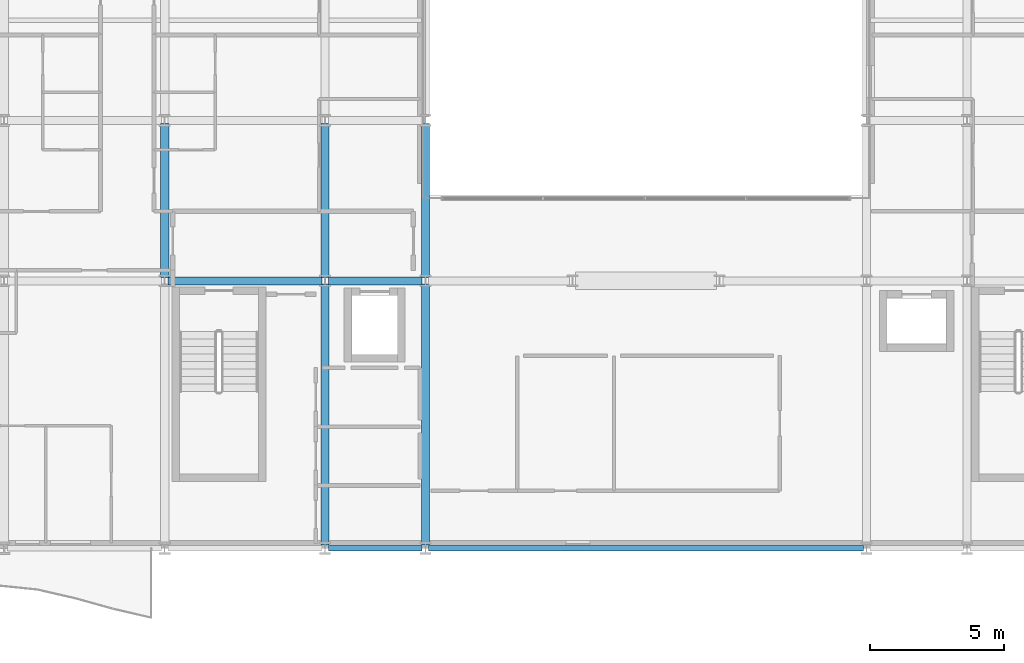
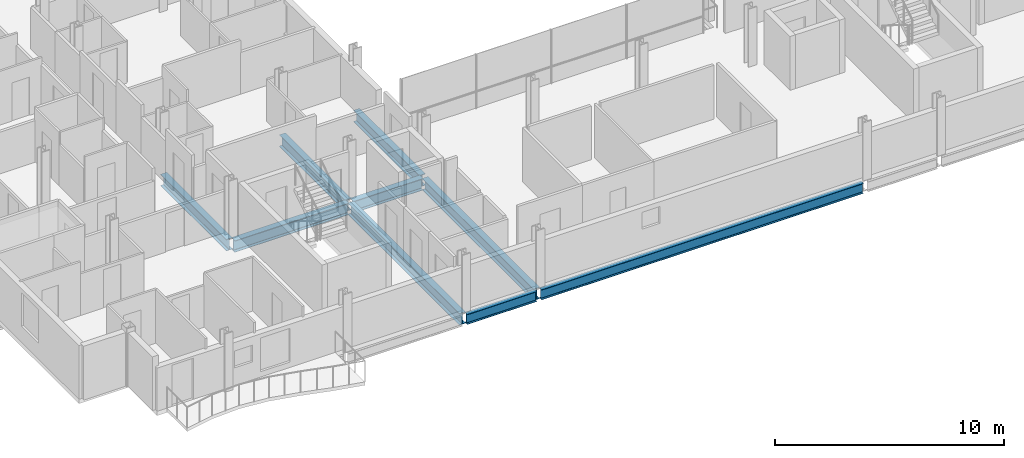
# One storey, part 3 of 40: 9 beams.
"""IFC4 building model written with IfcOpenShell, lengths in metres."""

from ifc_helpers import new_model, si_unit, direction, frame, origin, origin_2d, place, context, subcontext, project, spatial, i_section, extrude, material, material_profile, profile_set, type_object, element, save


model = new_model("IFC4")

# Units and contexts
model_context = context("Model", 3, precision=1e-05, world=origin(), true_north=direction((0.0, 1.0)))
body_context = subcontext(model_context, "Body", "Model", "MODEL_VIEW")
ifc_project = project(units=[si_unit("LENGTHUNIT", "METRE"), si_unit("AREAUNIT", "SQUARE_METRE"), si_unit("VOLUMEUNIT", "CUBIC_METRE"), si_unit("PLANEANGLEUNIT", "RADIAN"), si_unit("MASSUNIT", "GRAM", prefix="KILO")], contexts=[model_context])

# Site, building, storey
site_placement = place(None, origin())
site = spatial("IfcSite", under=ifc_project, at=site_placement, CompositionType="ELEMENT")
building_placement = place(site_placement, origin())
building = spatial("IfcBuilding", under=site, at=building_placement, Name="Brevholm Reach", CompositionType="ELEMENT")
storey_placement = place(building_placement, frame((0.0, 0.0, 80.699951171875)))
storey = spatial("IfcBuildingStorey", under=building, at=storey_placement, Name="L23", CompositionType="ELEMENT", Elevation=80.699951171875)

# Beams
ifc_material_1 = material(Name="Structural Steel S355J2", Category="steel")
ifc_material_profile_1 = material_profile(ifc_material_1, i_section(OverallWidth=0.210693359375, OverallDepth=0.53955078125, WebThickness=0.01171875, FlangeThickness=0.018798828125, FilletRadius=0.0126953125, at=origin_2d()), Name="UKB 533x210x109")
ifc_profile_set_1 = profile_set([ifc_material_profile_1], Name="Structural Steel S355J2")
beam_type_1 = type_object("IfcBeamType", Name="BM-SP539", PredefinedType="SPANDREL", material=ifc_profile_set_1)
beam_1_placement = place(storey_placement, frame((18.1201171875, 0.0, -0.499755859375), z_axis=(1.0, 0.0, 0.0), x_axis=(0.0, 1.0, 0.0)))
element("IfcBeam", 1, at=beam_1_placement, inside=storey, type_object=beam_type_1, Name="L23 SP-01B Framing Beam", PredefinedType="SPANDREL", context=body_context, shape_type="SweptSolid", body=[
    extrude(i_section(OverallWidth=0.210693359375, OverallDepth=0.53955078125, WebThickness=0.01171875, FlangeThickness=0.018798828125, FilletRadius=0.0126953125, at=origin_2d()), origin(), (0.0, 0.0, 1.0), 3.509765625),
])
beam_2_placement = place(storey_placement, frame((21.8701171875, 0.0, -0.499755859375), z_axis=(1.0, 0.0, 0.0), x_axis=(0.0, 1.0, 0.0)))
element("IfcBeam", 2, at=beam_2_placement, inside=storey, type_object=beam_type_1, Name="L23 SP-01B Framing Beam", PredefinedType="SPANDREL", context=body_context, shape_type="SweptSolid", body=[
    extrude(i_section(OverallWidth=0.210693359375, OverallDepth=0.53955078125, WebThickness=0.01171875, FlangeThickness=0.018798828125, FilletRadius=0.0126953125, at=origin_2d()), origin(), (0.0, 0.0, 1.0), 16.259765625),
])
ifc_material_2 = material(Name="Structural Steel S355J2", Category="steel")
ifc_material_profile_2 = material_profile(ifc_material_2, i_section(OverallWidth=0.30712890625, OverallDepth=0.6201171875, WebThickness=0.01416015625, FlangeThickness=0.023681640625, FilletRadius=0.0166015625, at=origin_2d()), Name="UKB 610x305x179")
ifc_profile_set_2 = profile_set([ifc_material_profile_2], Name="Structural Steel S355J2")
beam_type_2 = type_object("IfcBeamType", Name="BM-UKB610H", PredefinedType="USERDEFINED", material=ifc_profile_set_2)
beam_3_placement = place(storey_placement, frame((12.1201171875, 10.0, -0.5400390625), z_axis=(1.0, 0.0, 0.0), x_axis=(0.0, 1.0, 0.0)))
element("IfcBeam", 3, at=beam_3_placement, inside=storey, type_object=beam_type_2, Name="L23 G-06 Framing Beam", ObjectType="GIRDER", PredefinedType="USERDEFINED", context=body_context, shape_type="SweptSolid", body=[
    extrude(i_section(OverallWidth=0.30712890625, OverallDepth=0.6201171875, WebThickness=0.01416015625, FlangeThickness=0.023681640625, FilletRadius=0.0166015625, at=origin_2d()), origin(), (0.0, 0.0, 1.0), 5.759765625),
])
beam_4_placement = place(storey_placement, frame((18.1201171875, 10.0, -0.5400390625), z_axis=(1.0, 0.0, 0.0), x_axis=(0.0, 1.0, 0.0)))
element("IfcBeam", 4, at=beam_4_placement, inside=storey, type_object=beam_type_2, Name="L23 G-06 Framing Beam", ObjectType="GIRDER", PredefinedType="USERDEFINED", context=body_context, shape_type="SweptSolid", body=[
    extrude(i_section(OverallWidth=0.30712890625, OverallDepth=0.6201171875, WebThickness=0.01416015625, FlangeThickness=0.023681640625, FilletRadius=0.0166015625, at=origin_2d()), origin(), (0.0, 0.0, 1.0), 3.509765625),
])
beam_5_placement = place(storey_placement, frame((12.0, 10.1201171875, -0.5400390625), z_axis=(0.0, 1.0, 0.0), x_axis=(-1.0, 0.0, 0.0)))
element("IfcBeam", 5, at=beam_5_placement, inside=storey, type_object=beam_type_2, Name="L23 G-06 Framing Beam", ObjectType="GIRDER", PredefinedType="USERDEFINED", context=body_context, shape_type="SweptSolid", body=[
    extrude(i_section(OverallWidth=0.30712890625, OverallDepth=0.6201171875, WebThickness=0.01416015625, FlangeThickness=0.023681640625, FilletRadius=0.0166015625, at=origin_2d()), origin(), (0.0, 0.0, 1.0), 5.759765625),
])
beam_6_placement = place(storey_placement, frame((18.0, 0.1201171875, -0.5400390625), z_axis=(0.0, 1.0, 0.0), x_axis=(-1.0, 0.0, 0.0)))
element("IfcBeam", 6, at=beam_6_placement, inside=storey, type_object=beam_type_2, Name="L23 G-06 Framing Beam", ObjectType="GIRDER", PredefinedType="USERDEFINED", context=body_context, shape_type="SweptSolid", body=[
    extrude(i_section(OverallWidth=0.30712890625, OverallDepth=0.6201171875, WebThickness=0.01416015625, FlangeThickness=0.023681640625, FilletRadius=0.0166015625, at=origin_2d()), origin(), (0.0, 0.0, 1.0), 9.759765625),
])
beam_7_placement = place(storey_placement, frame((18.0, 10.1201171875, -0.5400390625), z_axis=(0.0, 1.0, 0.0), x_axis=(-1.0, 0.0, 0.0)))
element("IfcBeam", 7, at=beam_7_placement, inside=storey, type_object=beam_type_2, Name="L23 G-06 Framing Beam", ObjectType="GIRDER", PredefinedType="USERDEFINED", context=body_context, shape_type="SweptSolid", body=[
    extrude(i_section(OverallWidth=0.30712890625, OverallDepth=0.6201171875, WebThickness=0.01416015625, FlangeThickness=0.023681640625, FilletRadius=0.0166015625, at=origin_2d()), origin(), (0.0, 0.0, 1.0), 5.759765625),
])
beam_8_placement = place(storey_placement, frame((21.75, 0.1201171875, -0.5400390625), z_axis=(0.0, 1.0, 0.0), x_axis=(-1.0, 0.0, 0.0)))
element("IfcBeam", 8, at=beam_8_placement, inside=storey, type_object=beam_type_2, Name="L23 G-06 Framing Beam", ObjectType="GIRDER", PredefinedType="USERDEFINED", context=body_context, shape_type="SweptSolid", body=[
    extrude(i_section(OverallWidth=0.30712890625, OverallDepth=0.6201171875, WebThickness=0.01416015625, FlangeThickness=0.023681640625, FilletRadius=0.0166015625, at=origin_2d()), origin(), (0.0, 0.0, 1.0), 9.759765625),
])
beam_9_placement = place(storey_placement, frame((21.75, 10.1201171875, -0.5400390625), z_axis=(0.0, 1.0, 0.0), x_axis=(-1.0, 0.0, 0.0)))
element("IfcBeam", 9, at=beam_9_placement, inside=storey, type_object=beam_type_2, Name="L23 G-06 Framing Beam", ObjectType="GIRDER", PredefinedType="USERDEFINED", context=body_context, shape_type="SweptSolid", body=[
    extrude(i_section(OverallWidth=0.30712890625, OverallDepth=0.6201171875, WebThickness=0.01416015625, FlangeThickness=0.023681640625, FilletRadius=0.0166015625, at=origin_2d()), origin(), (0.0, 0.0, 1.0), 5.759765625),
])

save(model, "model.ifc")
